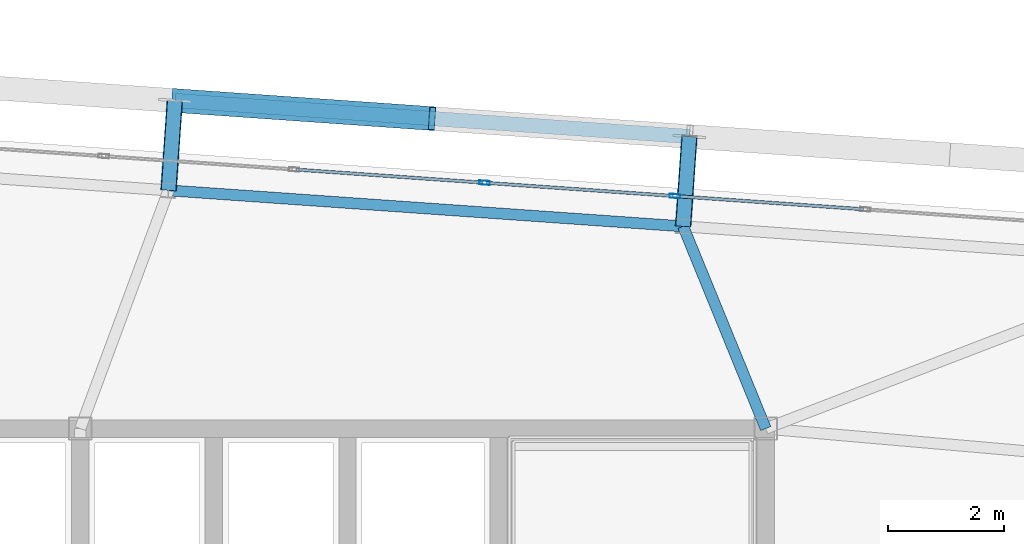
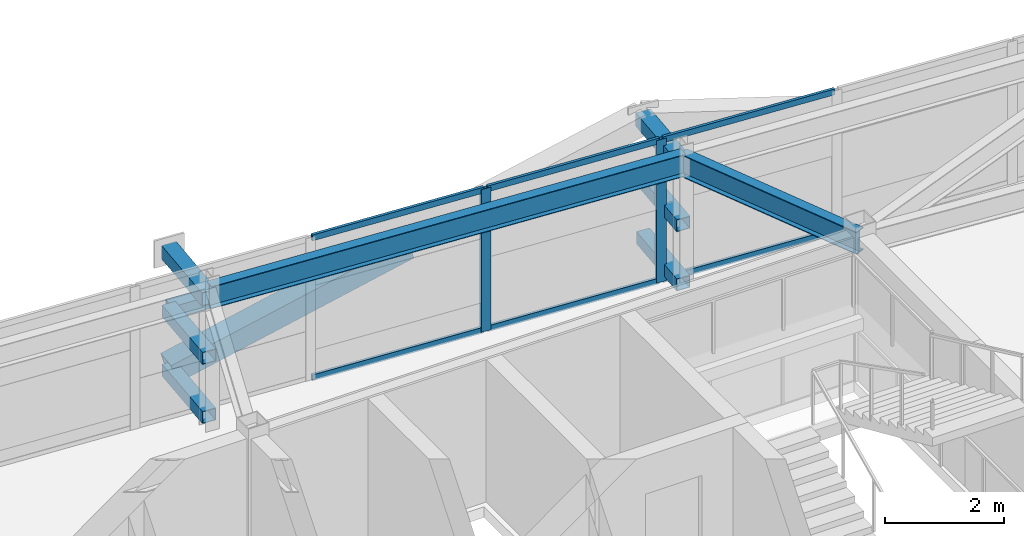
# One storey, part 29 of 47: 16 members, 2 beams, 1 element without a shape of its own.
"""IFC4 building model written with IfcOpenShell, lengths in metres."""

from ifc_helpers import new_model, si_unit, direction, frame, origin, origin_2d, place, context, subcontext, project, spatial, hollow_rectangle, i_section, extrude, source, transform, mapped, material, layer, layer_set, material_profile, profile_set, type_object, element, aggregate, save


model = new_model("IFC4")

# Units and contexts
model_context = context("Model", 3, precision=1e-05, world=origin(), true_north=direction((0.0, 1.0)))
body_context = subcontext(model_context, "Body", "Model", "MODEL_VIEW")
ifc_project = project(units=[si_unit("LENGTHUNIT", "METRE"), si_unit("AREAUNIT", "SQUARE_METRE"), si_unit("VOLUMEUNIT", "CUBIC_METRE"), si_unit("PLANEANGLEUNIT", "RADIAN"), si_unit("MASSUNIT", "GRAM", prefix="KILO")], contexts=[model_context])

# Site, building, storey
site_placement = place(None, origin())
site = spatial("IfcSite", under=ifc_project, at=site_placement, CompositionType="ELEMENT")
building_placement = place(site_placement, origin())
building = spatial("IfcBuilding", under=site, at=building_placement, Name="Taldren Reach Tower", CompositionType="ELEMENT")
storey_placement = place(building_placement, frame((0.0, 0.0, 142.449951171875)))
storey = spatial("IfcBuildingStorey", under=building, at=storey_placement, Name="L43", CompositionType="ELEMENT", Elevation=142.449951171875)

# Members
ifc_material_1 = material(Name="Steel Gr 450 (C450L0)", Category="steel")
ifc_material_profile_1 = material_profile(ifc_material_1, hollow_rectangle(XDim=0.27490234375, YDim=0.27490234375, WallThickness=0.00927734375, at=origin_2d()), Name="275x275x9.3SHS")
ifc_profile_set_1 = profile_set([ifc_material_profile_1], Name="Steel Gr 450 (C450L0)")
member_type_1 = type_object("IfcMemberType", Name="MB-TIE273", PredefinedType="STRUT", material=ifc_profile_set_1)
shared_shape_1 = source(origin(), body_context, "Body", "SweptSolid", [
    extrude(hollow_rectangle(XDim=0.27490234375, YDim=0.27490234375, WallThickness=0.00927734375, at=origin_2d()), origin(), (0.0, 0.0, 1.0), 1.550048828125),
])
for number, where, z_axis, x_axis, name in (
    (1, (40.7197265625, 36.100341796875, 2.650146484375), (0.06976957191, 0.99756313426, 0.0), (-0.99756313426, 0.06976957191, 0.0), "Exoskeleton diaphragm tie strut B3-N4 L43"),
    (2, (49.578125, 35.48095703125, 2.650146484375), (0.06976957191, 0.99756313426, 0.0), (-0.99756313426, 0.06976957191, 0.0), "Exoskeleton diaphragm tie strut B3-N5 L43"),
):
    element("IfcMember", number, at=place(storey_placement, frame(where, z_axis=z_axis, x_axis=x_axis)), inside=storey, type_object=member_type_1, Name=name, PredefinedType="STRUT", context=body_context, shape_type="MappedRepresentation", body=[
        mapped(shared_shape_1, transform((0.0, 0.0, 0.0), scale=1.0)),
    ])
ifc_material_2 = material(Name="Steel Gr 350 (C350L0)", Category="steel")
ifc_material_profile_2 = material_profile(ifc_material_2, hollow_rectangle(XDim=0.25, YDim=0.25, WallThickness=0.010009765625, at=origin_2d()), Name="250x250x10.0SHS")
ifc_profile_set_2 = profile_set([ifc_material_profile_2], Name="Steel Gr 350 (C350L0)")
member_type_2 = type_object("IfcMemberType", Name="MB-POST250", PredefinedType="POST", material=ifc_profile_set_2)
shared_shape_2 = source(origin(), body_context, "Body", "SweptSolid", [
    extrude(hollow_rectangle(XDim=0.25, YDim=0.25, WallThickness=0.010009765625, at=origin_2d()), origin(), (0.0, 0.0, 1.0), 1.550048828125),
])
for number, where, z_axis, x_axis, name in (
    (3, (40.7197265625, 36.100341796875, 0.219970703125), (0.06976957191, 0.99756313426, 0.0), (-0.99756313426, 0.06976957191, 0.0), "Exoskeleton base diaphragm tie strut B3-N4 L43"),
    (4, (49.578125, 35.48095703125, 0.219970703125), (0.06976957191, 0.99756313426, 0.0), (-0.99756313426, 0.06976957191, 0.0), "Exoskeleton base diaphragm tie strut B3-N5 L43"),
    (5, (40.7197265625, 36.100341796875, 1.43505859375), (0.06976957191, 0.99756313426, 0.0), (-0.99756313426, 0.06976957191, 0.0), "Exoskeleton mid-tier diaphragm tie B3-N4 L43"),
    (6, (49.578125, 35.48095703125, 1.43505859375), (0.06976957191, 0.99756313426, 0.0), (-0.99756313426, 0.06976957191, 0.0), "Exoskeleton mid-tier diaphragm tie B3-N5 L43"),
):
    element("IfcMember", number, at=place(storey_placement, frame(where, z_axis=z_axis, x_axis=x_axis)), inside=storey, type_object=member_type_2, Name=name, PredefinedType="POST", context=body_context, shape_type="MappedRepresentation", body=[
        mapped(shared_shape_2, transform((0.0, 0.0, 0.0), scale=1.0)),
    ])

# Beams
ifc_material_3 = material(Name="Steel Gr 350 (350PLUS)", Category="steel")
ifc_material_profile_3 = material_profile(ifc_material_3, i_section(OverallWidth=0.18994140625, OverallDepth=0.4541015625, WebThickness=0.008544921875, FlangeThickness=0.0126953125, at=origin_2d()), Name="460UB67.1")
ifc_profile_set_3 = profile_set([ifc_material_profile_3], Name="Steel Gr 350 (350PLUS)")
beam_type_1 = type_object("IfcBeamType", Name="SP-UB460B", PredefinedType="SPANDREL", material=ifc_profile_set_3)
shared_shape_3 = source(origin(), body_context, "Body", "SweptSolid", [
    extrude(i_section(OverallWidth=0.18994140625, OverallDepth=0.4541015625, WebThickness=0.008544921875, FlangeThickness=0.0126953125, at=origin_2d()), origin(), (0.0, 0.0, 1.0), 8.880126953125),
])
beam_1_placement = place(storey_placement, frame((49.578125, 35.48095703125, 2.703125), z_axis=(-0.997564479639, 0.069750333063, 0.0), x_axis=(-0.069750333063, -0.997564479639, 0.0)))
element("IfcBeam", 7, at=beam_1_placement, inside=storey, type_object=beam_type_1, Name="Perimeter spandrel B3 N5-N4 L43", PredefinedType="SPANDREL", context=body_context, shape_type="MappedRepresentation", body=[
    mapped(shared_shape_3, transform((0.0, 0.0, 0.0), scale=1.0)),
])
ifc_material_profile_4 = material_profile(ifc_material_3, i_section(OverallWidth=0.19091796875, OverallDepth=0.4599609375, WebThickness=0.010009765625, FlangeThickness=0.01611328125, at=origin_2d()), Name="460UB82.1")
ifc_profile_set_4 = profile_set([ifc_material_profile_4], Name="Steel Gr 350 (350PLUS)")
beam_type_2 = type_object("IfcBeamType", Name="BM-UB460A", PredefinedType="BEAM", material=ifc_profile_set_4)
shared_shape_4 = source(origin(), body_context, "Body", "SweptSolid", [
    extrude(i_section(OverallWidth=0.19091796875, OverallDepth=0.4599609375, WebThickness=0.010009765625, FlangeThickness=0.01611328125, at=origin_2d()), origin(), (0.0, 0.0, 1.0), 3.76025390625),
])
beam_2_placement = place(storey_placement, frame((51.0, 32.0, 2.699951171875), z_axis=(-0.37814232545, 0.925747471886, 0.0), x_axis=(-0.925747471886, -0.37814232545, 0.0)))
element("IfcBeam", 8, at=beam_2_placement, inside=storey, type_object=beam_type_2, Name="Primary floor girder B3-N5 L43", PredefinedType="BEAM", context=body_context, shape_type="MappedRepresentation", body=[
    mapped(shared_shape_4, transform((0.0, 0.0, 0.0), scale=1.0)),
])

# Members
shared_shape_5 = source(origin(), body_context, "Body", "SweptSolid", [
    extrude(hollow_rectangle(XDim=0.25, YDim=0.25, WallThickness=0.010009765625, at=origin_2d()), origin(), (0.0, 0.0, 1.0), 8.880126953125),
])
member_1_placement = place(storey_placement, frame((40.827880859375, 37.646728515625, 1.43505859375), z_axis=(0.997564479639, -0.069750333063, 0.0), x_axis=(0.069750333063, 0.997564479639, 0.0)))
element("IfcMember", 9, at=member_1_placement, inside=storey, type_object=member_type_2, Name="Exoskeleton mid-height ring chord B3-N4 L43", PredefinedType="POST", context=body_context, shape_type="MappedRepresentation", body=[
    mapped(shared_shape_5, transform((0.0, 0.0, 0.0), scale=1.0)),
])
ifc_material_profile_5 = material_profile(ifc_material_1, hollow_rectangle(XDim=0.409912109375, YDim=0.409912109375, WallThickness=0.01611328125, at=origin_2d()), Name="410x410x16.0SHS")
ifc_profile_set_5 = profile_set([ifc_material_profile_5], Name="Steel Gr 450 (C450L0)")
member_type_3 = type_object("IfcMemberType", Name="MB-EXO406", PredefinedType="BRACE", material=ifc_profile_set_5)
shared_shape_6 = source(origin(), body_context, "Body", "SweptSolid", [
    extrude(hollow_rectangle(XDim=0.409912109375, YDim=0.409912109375, WallThickness=0.01611328125, at=origin_2d()), origin(), (0.0, 0.0, 1.0), 4.603271484375),
])
member_2_placement = place(storey_placement, frame((40.827880859375, 37.646728515625, 0.219970703125), z_axis=(0.962182351074, -0.067302910567, 0.263961060594), x_axis=(0.06977769246, 0.997562566276, 0.0)))
element("IfcMember", 10, at=member_2_placement, inside=storey, type_object=member_type_3, Name="Exoskeleton Diagrid Brace B3-N4 L43", PredefinedType="BRACE", context=body_context, shape_type="MappedRepresentation", body=[
    mapped(shared_shape_6, transform((0.0, 0.0, 0.0), scale=1.0)),
])

# Curtain wall, members
ifc_material_4 = material(Name="Aluminium and Low-E Glass Unitised System", Category="aluminium")
ifc_layer = layer(ifc_material_4, 0.159912109375)
ifc_layer_set = layer_set([ifc_layer], Name="Aluminium and Low-E Glass Unitised System")
curtain_wall_type = type_object("IfcCurtainWallType", Name="CW-SYS-4", PredefinedType="NOTDEFINED", material=ifc_layer_set)
curtain_wall_placement = place(storey_placement, origin())
curtain_wall = element("IfcCurtainWall", 11, at=curtain_wall_placement, inside=storey, type_object=curtain_wall_type, Name="Unitised curtain wall CW-L43-N", PredefinedType="NOTDEFINED")
ifc_material_5 = material(Name="Anodised Aluminium 6063-T6", Category="aluminium")
ifc_material_profile_6 = material_profile(ifc_material_5, hollow_rectangle(XDim=0.070068359375, YDim=0.179931640625, WallThickness=0.00390625, at=origin_2d()), Name="ALU-180x70x4RHS")
ifc_profile_set_6 = profile_set([ifc_material_profile_6], Name="Anodised Aluminium 6063-T6")
member_type_4 = type_object("IfcMemberType", Name="CW-MUL-180", PredefinedType="MULLION", material=ifc_profile_set_6)
shared_shape_7 = source(origin(), body_context, "Body", "SweptSolid", [
    extrude(hollow_rectangle(XDim=0.070068359375, YDim=0.179931640625, WallThickness=0.00390625, at=origin_2d()), origin(), (0.0, 0.0, 1.0), 2.929931640625),
])
member_3_placement = place(storey_placement, frame((49.43701171875, 36.002197265625, 0.0), z_axis=(0.0, 0.0, 1.0), x_axis=(-0.06975651593, -0.99756404731, 0.0)))
member_3 = element("IfcMember", 12, at=member_3_placement, type_object=member_type_4, Name="CW-4 mullion 4", PredefinedType="MULLION", context=body_context, shape_type="MappedRepresentation", body=[
    mapped(shared_shape_7, transform((0.0, 0.0, 0.0), scale=1.0)),
])
member_4_placement = place(storey_placement, frame((46.1591796875, 36.2314453125, 0.0), z_axis=(0.0, 0.0, 1.0), x_axis=(-0.06975651593, -0.99756404731, 0.0)))
member_4 = element("IfcMember", 13, at=member_4_placement, type_object=member_type_4, Name="CW-4 mullion 5", PredefinedType="MULLION", context=body_context, shape_type="MappedRepresentation", body=[
    mapped(shared_shape_7, transform((0.0, 0.0, 0.0), scale=1.0)),
])
ifc_material_profile_7 = material_profile(ifc_material_5, hollow_rectangle(XDim=0.054931640625, YDim=0.1201171875, WallThickness=0.0029296875, at=origin_2d()), Name="ALU-120x55x3RHS")
ifc_profile_set_7 = profile_set([ifc_material_profile_7], Name="Anodised Aluminium 6063-T6")
member_type_5 = type_object("IfcMemberType", Name="CW-TRN-135", PredefinedType="USERDEFINED", material=ifc_profile_set_7)
shared_shape_8 = source(origin(), body_context, "Body", "SweptSolid", [
    extrude(hollow_rectangle(XDim=0.054931640625, YDim=0.1201171875, WallThickness=0.0029296875, at=origin_2d()), origin(), (0.0, 0.0, 1.0), 3.2158203125),
])
member_5_placement = place(storey_placement, frame((49.402099609375, 36.004638671875, 0.027587890625), z_axis=(-0.997563195991, 0.069768689278, 0.0), x_axis=(-0.069768689278, -0.997563195991, 0.0)))
member_5 = element("IfcMember", 14, at=member_5_placement, type_object=member_type_5, Name="CW-4 transom 4.1", ObjectType="TRANSOM", PredefinedType="USERDEFINED", context=body_context, shape_type="MappedRepresentation", body=[
    mapped(shared_shape_8, transform((0.0, 0.0, 0.0), scale=1.0)),
])
member_6_placement = place(storey_placement, frame((49.402099609375, 36.004638671875, 2.902587890625), z_axis=(-0.997563195991, 0.069768689278, 0.0), x_axis=(-0.069768689278, -0.997563195991, 0.0)))
member_6 = element("IfcMember", 15, at=member_6_placement, type_object=member_type_5, Name="CW-4 transom 4.2", ObjectType="TRANSOM", PredefinedType="USERDEFINED", context=body_context, shape_type="MappedRepresentation", body=[
    mapped(shared_shape_8, transform((0.0, 0.0, 0.0), scale=1.0)),
])
shared_shape_9 = source(origin(), body_context, "Body", "SweptSolid", [
    extrude(hollow_rectangle(XDim=0.054931640625, YDim=0.1201171875, WallThickness=0.0029296875, at=origin_2d()), origin(), (0.0, 0.0, 1.0), 3.215576171875),
])
member_7_placement = place(storey_placement, frame((52.6796875, 35.775390625, 0.027587890625), z_axis=(-0.997562826405, 0.069773973473, 0.0), x_axis=(-0.069773973473, -0.997562826405, 0.0)))
member_7 = element("IfcMember", 16, at=member_7_placement, type_object=member_type_5, Name="CW-4 transom 3.1", ObjectType="TRANSOM", PredefinedType="USERDEFINED", context=body_context, shape_type="MappedRepresentation", body=[
    mapped(shared_shape_9, transform((0.0, 0.0, 0.0), scale=1.0)),
])
member_8_placement = place(storey_placement, frame((52.6796875, 35.775390625, 2.902587890625), z_axis=(-0.997562826405, 0.069773973473, 0.0), x_axis=(-0.069773973473, -0.997562826405, 0.0)))
member_8 = element("IfcMember", 17, at=member_8_placement, type_object=member_type_5, Name="CW-4 transom 3.2", ObjectType="TRANSOM", PredefinedType="USERDEFINED", context=body_context, shape_type="MappedRepresentation", body=[
    mapped(shared_shape_9, transform((0.0, 0.0, 0.0), scale=1.0)),
])
member_9_placement = place(storey_placement, frame((46.124267578125, 36.23388671875, 0.027587890625), z_axis=(-0.997568108166, 0.0696984187, 0.0), x_axis=(-0.0696984187, -0.997568108166, 0.0)))
member_9 = element("IfcMember", 18, at=member_9_placement, type_object=member_type_5, Name="CW-4 transom 5.1", ObjectType="TRANSOM", PredefinedType="USERDEFINED", context=body_context, shape_type="MappedRepresentation", body=[
    mapped(shared_shape_9, transform((0.0, 0.0, 0.0), scale=1.0)),
])
member_10_placement = place(storey_placement, frame((46.124267578125, 36.23388671875, 2.902587890625), z_axis=(-0.997568108166, 0.0696984187, 0.0), x_axis=(-0.0696984187, -0.997568108166, 0.0)))
member_10 = element("IfcMember", 19, at=member_10_placement, type_object=member_type_5, Name="CW-4 transom 5.2", ObjectType="TRANSOM", PredefinedType="USERDEFINED", context=body_context, shape_type="MappedRepresentation", body=[
    mapped(shared_shape_9, transform((0.0, 0.0, 0.0), scale=1.0)),
])
aggregate(curtain_wall, [member_3, member_4, member_7, member_8, member_5, member_6, member_9, member_10])

save(model, "model.ifc")
